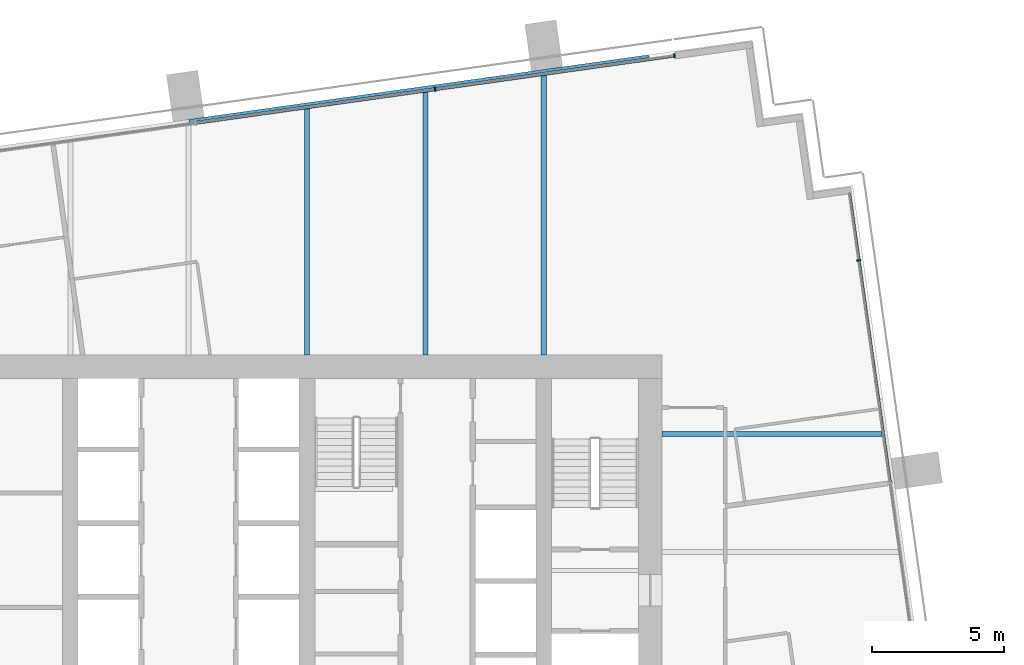
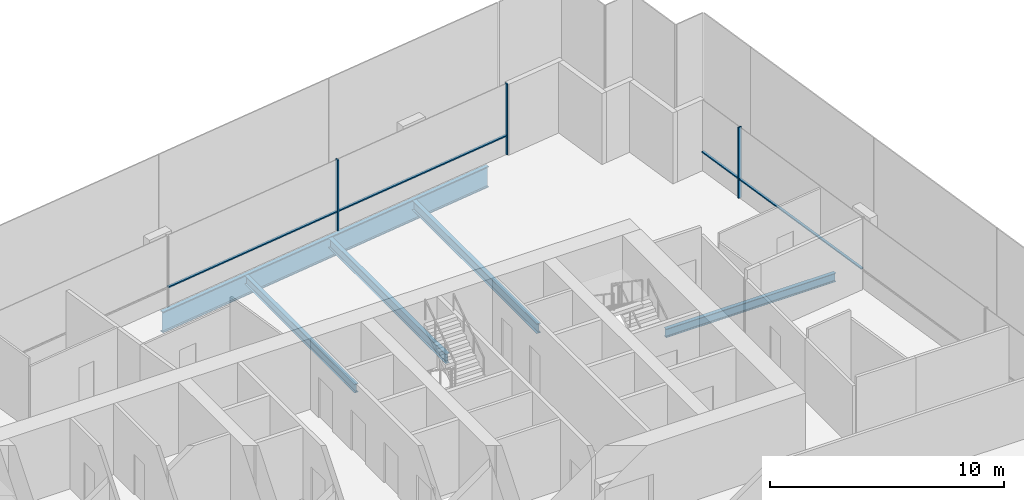
# One storey, part 7 of 17: 7 members, 5 beams, 2 elements without a shape of their own.
"""IFC4 building model written with IfcOpenShell, lengths in metres."""

from ifc_helpers import new_model, si_unit, direction, frame, origin, origin_2d, place, context, subcontext, project, spatial, rectangle, i_section, extrude, material, material_profile, profile_set, type_object, element, aggregate, save


model = new_model("IFC4")

# Units and contexts
model_context = context("Model", 3, precision=1e-05, world=origin(), true_north=direction((0.0, 1.0)))
body_context = subcontext(model_context, "Body", "Model", "MODEL_VIEW")
ifc_project = project(units=[si_unit("LENGTHUNIT", "METRE"), si_unit("AREAUNIT", "SQUARE_METRE"), si_unit("VOLUMEUNIT", "CUBIC_METRE"), si_unit("PLANEANGLEUNIT", "RADIAN"), si_unit("MASSUNIT", "GRAM", prefix="KILO")], contexts=[model_context])

# Site, building, storey
site_placement = place(None, origin())
site = spatial("IfcSite", under=ifc_project, at=site_placement, CompositionType="ELEMENT")
building_placement = place(site_placement, origin())
building = spatial("IfcBuilding", under=site, at=building_placement, Name="Rattan Terrace Tower", CompositionType="ELEMENT")
storey_placement = place(building_placement, frame((0.0, 0.0, 168.5)))
storey = spatial("IfcBuildingStorey", under=building, at=storey_placement, Name="L38", CompositionType="ELEMENT", Elevation=168.5)

# Curtain wall, member
ifc_material_1 = material(Name="Aluminium and glass", Category="aluminium")
curtain_wall_type = type_object("IfcCurtainWallType", Name="Facade Unitised Curtain Wall", PredefinedType="NOTDEFINED", material=ifc_material_1)
curtain_wall_1_placement = place(storey_placement, origin())
curtain_wall_1 = element("IfcCurtainWall", 1, at=curtain_wall_1_placement, inside=storey, type_object=curtain_wall_type, Name="Curtain wall L38-1", PredefinedType="NOTDEFINED")
ifc_material_2 = material(Name="Aluminium", Category="aluminium")
ifc_material_profile_1 = material_profile(ifc_material_2, rectangle(XDim=0.06005859375, YDim=0.159912109375, at=origin_2d()), Name="Aluminium 60x160")
ifc_profile_set_1 = profile_set([ifc_material_profile_1], Name="Aluminium")
member_type_1 = type_object("IfcMemberType", Name="Facade CW Mullion 60x160", PredefinedType="MULLION", material=ifc_profile_set_1)
member_1_placement = place(storey_placement, frame((25.477294921875, 11.092529296875, 0.0), z_axis=(0.0, 0.0, 1.0), x_axis=(-0.139190856006, 0.99026557327, 0.0)))
member_1 = element("IfcMember", 2, at=member_1_placement, type_object=member_type_1, Name="Mullion cwl-L38-001.4", PredefinedType="MULLION", context=body_context, shape_type="SweptSolid", body=[
    extrude(rectangle(XDim=0.06005859375, YDim=0.159912109375, at=origin_2d()), origin(), (0.0, 0.0, 1.0), 3.699951171875),
])

# Curtain wall, members
curtain_wall_2_placement = place(storey_placement, origin())
curtain_wall_2 = element("IfcCurtainWall", 3, at=curtain_wall_2_placement, inside=storey, type_object=curtain_wall_type, Name="Curtain wall L38-2", PredefinedType="NOTDEFINED")
member_2_placement = place(storey_placement, frame((18.467041015625, 18.87255859375, 0.0), z_axis=(0.0, 0.0, 1.0), x_axis=(-0.990269702686, -0.139161474347, 0.0)))
member_2 = element("IfcMember", 4, at=member_2_placement, type_object=member_type_1, Name="Mullion cwl-L38-002.1", PredefinedType="MULLION", context=body_context, shape_type="SweptSolid", body=[
    extrude(rectangle(XDim=0.06005859375, YDim=0.159912109375, at=origin_2d()), origin(), (0.0, 0.0, 1.0), 3.699951171875),
])
member_3_placement = place(storey_placement, frame((9.373291015625, 17.594482421875, 0.0), z_axis=(0.0, 0.0, 1.0), x_axis=(-0.990269702686, -0.139161474347, 0.0)))
member_3 = element("IfcMember", 5, at=member_3_placement, type_object=member_type_1, Name="Mullion cwl-L38-002.2", PredefinedType="MULLION", context=body_context, shape_type="SweptSolid", body=[
    extrude(rectangle(XDim=0.06005859375, YDim=0.159912109375, at=origin_2d()), origin(), (0.0, 0.0, 1.0), 3.699951171875),
])

# Member
ifc_material_3 = material(Name="Aluminium", Category="aluminium")
ifc_material_profile_2 = material_profile(ifc_material_3, rectangle(XDim=0.1201171875, YDim=0.06005859375, at=origin_2d()), Name="Aluminium 120x60")
ifc_profile_set_2 = profile_set([ifc_material_profile_2], Name="Aluminium")
member_type_2 = type_object("IfcMemberType", Name="Facade CW Transom 120x60", PredefinedType="USERDEFINED", material=ifc_profile_set_2)
member_4_placement = place(storey_placement, frame((26.663330078125, 2.655517578125, 1.0), z_axis=(-0.139178607515, 0.99026729483, 0.0), x_axis=(-0.99026729483, -0.139178607515, 0.0)))
member_4 = element("IfcMember", 6, at=member_4_placement, type_object=member_type_2, Name="Transom cwl-L38-001.3", ObjectType="TRANSOM", PredefinedType="USERDEFINED", context=body_context, shape_type="SweptSolid", body=[
    extrude(rectangle(XDim=0.1201171875, YDim=0.06005859375, at=origin_2d()), origin(), (0.0, 0.0, 1.0), 8.489990234375),
])

member_5_placement = place(storey_placement, frame((25.47314453125, 11.122314453125, 1.0), z_axis=(-0.139106713562, 0.990277396613, 0.0), x_axis=(-0.990277396613, -0.139106713562, 0.0)))
member_5 = element("IfcMember", 7, at=member_5_placement, type_object=member_type_2, Name="Transom cwl-L38-001.4", ObjectType="TRANSOM", PredefinedType="USERDEFINED", context=body_context, shape_type="SweptSolid", body=[
    extrude(rectangle(XDim=0.1201171875, YDim=0.06005859375, at=origin_2d()), origin(), (0.0, 0.0, 1.0), 2.525634765625),
])

aggregate(curtain_wall_1, [member_1, member_4, member_5])

member_6_placement = place(storey_placement, frame((18.437255859375, 18.868408203125, 1.0), z_axis=(-0.990266494002, -0.139184305354, 0.0), x_axis=(0.139184305354, -0.990266494002, 0.0)))
member_6 = element("IfcMember", 8, at=member_6_placement, type_object=member_type_2, Name="Transom cwl-L38-002.1", ObjectType="TRANSOM", PredefinedType="USERDEFINED", context=body_context, shape_type="SweptSolid", body=[
    extrude(rectangle(XDim=0.1201171875, YDim=0.06005859375, at=origin_2d()), origin(), (0.0, 0.0, 1.0), 9.123046875),
])

member_7_placement = place(storey_placement, frame((9.343505859375, 17.59033203125, 1.0), z_axis=(-0.990270711765, -0.139154293575, 0.0), x_axis=(0.139154293575, -0.990270711765, 0.0)))
member_7 = element("IfcMember", 9, at=member_7_placement, type_object=member_type_2, Name="Transom cwl-L38-002.2", ObjectType="TRANSOM", PredefinedType="USERDEFINED", context=body_context, shape_type="SweptSolid", body=[
    extrude(rectangle(XDim=0.1201171875, YDim=0.06005859375, at=origin_2d()), origin(), (0.0, 0.0, 1.0), 9.153076171875),
])

aggregate(curtain_wall_2, [member_2, member_3, member_6, member_7])

# Beams
ifc_material_4 = material(Name="Steel S460", Category="steel")
ifc_material_profile_3 = material_profile(ifc_material_4, i_section(OverallWidth=0.179931640625, OverallDepth=1.10009765625, WebThickness=0.01611328125, FlangeThickness=0.050048828125, at=origin_2d()), Name="PG 1100x180-16-50")
ifc_profile_set_3 = profile_set([ifc_material_profile_3], Name="Steel S460")
beam_type_1 = type_object("IfcBeamType", Name="Frame edge girder PG 1100x180-16-50", PredefinedType="SPANDREL", material=ifc_profile_set_3)
beam_1_placement = place(storey_placement, frame((17.4990234375, 18.818115234375, -0.75), z_axis=(-0.990264173921, -0.139200811234, 0.0), x_axis=(0.139200811234, -0.990264173921, 0.0)))
element("IfcBeam", 10, at=beam_1_placement, inside=storey, type_object=beam_type_1, Name="gdr-L38-007", PredefinedType="SPANDREL", context=body_context, shape_type="SweptSolid", body=[
    extrude(i_section(OverallWidth=0.179931640625, OverallDepth=1.10009765625, WebThickness=0.01611328125, FlangeThickness=0.050048828125, at=origin_2d()), origin(), (0.0, 0.0, 1.0), 17.657958984375),
])
ifc_material_5 = material(Name="Steel S355", Category="steel")
ifc_material_profile_4 = material_profile(ifc_material_5, i_section(OverallWidth=0.18994140625, OverallDepth=0.449951171875, WebThickness=0.009521484375, FlangeThickness=0.0146484375, FilletRadius=0.02099609375, at=origin_2d()), Name="IPE 450")
ifc_profile_set_4 = profile_set([ifc_material_profile_4], Name="Steel S355")
beam_type_2 = type_object("IfcBeamType", Name="Frame floor beam IPE 450", PredefinedType="JOIST", material=ifc_profile_set_4)
beam_2_placement = place(storey_placement, frame((18.0, 4.5, -0.425048828125), z_axis=(1.0, 0.0, 0.0), x_axis=(0.0, 1.0, 0.0)))
element("IfcBeam", 11, at=beam_2_placement, inside=storey, type_object=beam_type_2, Name="bm-L38-015", PredefinedType="JOIST", context=body_context, shape_type="SweptSolid", body=[
    extrude(i_section(OverallWidth=0.18994140625, OverallDepth=0.449951171875, WebThickness=0.009521484375, FlangeThickness=0.0146484375, FilletRadius=0.02099609375, at=origin_2d()), origin(), (0.0, 0.0, 1.0), 8.381103515625),
])
beam_3_placement = place(storey_placement, frame((4.5, 7.5, -0.425048828125), z_axis=(0.0, 1.0, 0.0), x_axis=(-1.0, 0.0, 0.0)))
element("IfcBeam", 12, at=beam_3_placement, inside=storey, type_object=beam_type_2, Name="bm-L38-020", PredefinedType="JOIST", context=body_context, shape_type="SweptSolid", body=[
    extrude(i_section(OverallWidth=0.18994140625, OverallDepth=0.449951171875, WebThickness=0.009521484375, FlangeThickness=0.0146484375, FilletRadius=0.02099609375, at=origin_2d()), origin(), (0.0, 0.0, 1.0), 9.385986328125),
])
ifc_material_6 = material(Name="Steel S355", Category="steel")
ifc_material_profile_5 = material_profile(ifc_material_6, i_section(OverallWidth=0.199951171875, OverallDepth=0.5, WebThickness=0.01025390625, FlangeThickness=0.01611328125, FilletRadius=0.02099609375, at=origin_2d()), Name="IPE 500")
ifc_profile_set_5 = profile_set([ifc_material_profile_5], Name="Steel S355")
beam_type_3 = type_object("IfcBeamType", Name="Frame floor beam IPE 500", PredefinedType="JOIST", material=ifc_profile_set_5)
beam_4_placement = place(storey_placement, frame((9.0, 7.5, -0.449951171875), z_axis=(0.0, 1.0, 0.0), x_axis=(-1.0, 0.0, 0.0)))
element("IfcBeam", 13, at=beam_4_placement, inside=storey, type_object=beam_type_3, Name="bm-L38-021", PredefinedType="JOIST", context=body_context, shape_type="SweptSolid", body=[
    extrude(i_section(OverallWidth=0.199951171875, OverallDepth=0.5, WebThickness=0.01025390625, FlangeThickness=0.01611328125, FilletRadius=0.02099609375, at=origin_2d()), origin(), (0.0, 0.0, 1.0), 10.01806640625),
])
beam_5_placement = place(storey_placement, frame((13.5, 7.5, -0.449951171875), z_axis=(0.0, 1.0, 0.0), x_axis=(-1.0, 0.0, 0.0)))
element("IfcBeam", 14, at=beam_5_placement, inside=storey, type_object=beam_type_3, Name="bm-L38-022", PredefinedType="JOIST", context=body_context, shape_type="SweptSolid", body=[
    extrude(i_section(OverallWidth=0.199951171875, OverallDepth=0.5, WebThickness=0.01025390625, FlangeThickness=0.01611328125, FilletRadius=0.02099609375, at=origin_2d()), origin(), (0.0, 0.0, 1.0), 10.65087890625),
])

save(model, "model.ifc")
